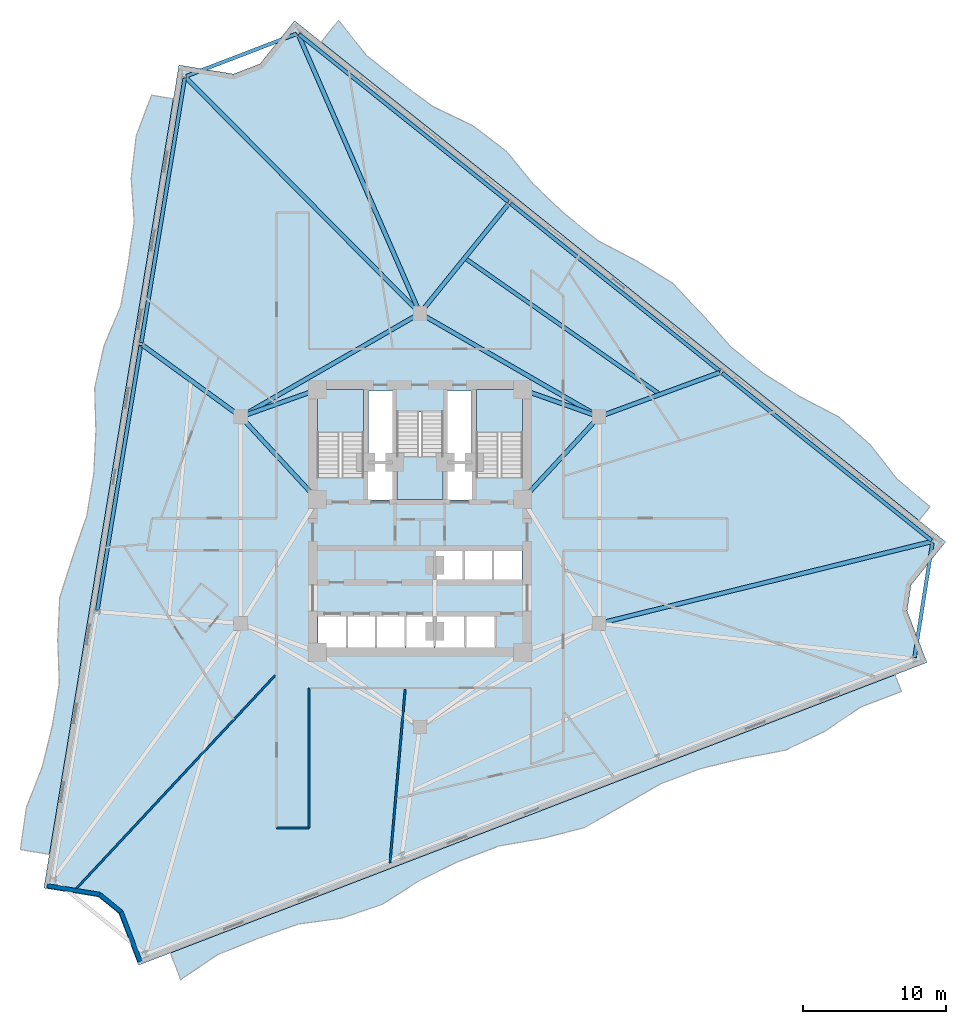
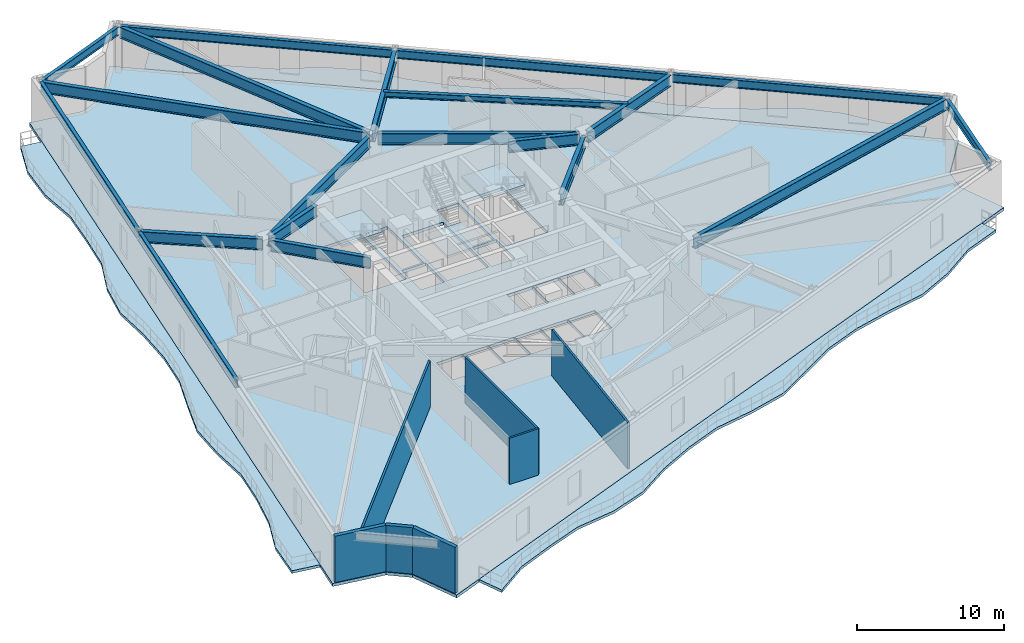
# One storey, part 3 of 11: 20 beams, 7 slabs, 7 walls, 3 elements without a shape of their own.
"""IFC4 building model written with IfcOpenShell, lengths in metres."""

import ifcopenshell
import ifcopenshell.guid

model = None  # the IFC model being written
_history = None  # IfcOwnerHistory: only IFC2X3 demands one
_inside = {}  # id of a spatial element -> (the spatial element, [elements in it])
_under = {}  # id of a project, library or spatial element -> (it, [spatial elements below it])
_declared = {}  # id of a project -> (the project, [libraries it declares])
_typed = {}  # id of a type object -> (the type object, [elements of that type])
_made_of = {}  # id of a material, layer set ... -> (it, [elements and type objects made of it])


def new_model(schema):
    """Start an empty IFC model of exactly this schema.

    Asked for "IFC4X3", IfcOpenShell would pick the latest addendum, in which some entities
    have other attributes; the version numbers below select the first issue.
    IFC2X3 requires an IfcOwnerHistory on every rooted entity: one is made here for all.
    """
    global model, _history
    if schema == "IFC4X3":
        model = ifcopenshell.file(schema_version=(4, 3, 0, 0))
    else:
        model = ifcopenshell.file(schema=schema)
    _inside.clear()
    _under.clear()
    _declared.clear()
    _typed.clear()
    _made_of.clear()
    _history = None
    if model.schema == "IFC2X3":
        org = make("IfcOrganization", Name="unknown")
        user = make(
            "IfcPersonAndOrganization",
            ThePerson=make("IfcPerson", FamilyName="unknown"),
            TheOrganization=org,
        )
        app = make(
            "IfcApplication",
            ApplicationDeveloper=org,
            Version="unknown",
            ApplicationFullName="unknown",
            ApplicationIdentifier="unknown",
        )
        _history = make(
            "IfcOwnerHistory",
            OwningUser=user,
            OwningApplication=app,
            ChangeAction="ADDED",
            CreationDate=0,
        )
    return model


def make(cls, **values):
    """One entity of the class cls with the attributes given. An attribute that is None is left unset."""
    return model.create_entity(
        cls, **{name: value for name, value in values.items() if value is not None}
    )


def rooted(cls, **values):
    """An entity with a GlobalId (a new one), such as an element, a storey or a relation."""
    return make(cls, GlobalId=ifcopenshell.guid.new(), OwnerHistory=_history, **values)


def si_unit(unit_type, name, prefix=None):
    """IfcSIUnit, for example si_unit("LENGTHUNIT", "METRE", prefix="MILLI")."""
    return make("IfcSIUnit", UnitType=unit_type, Prefix=prefix, Name=name)


def assignment(units):
    """IfcUnitAssignment: the units of a project."""
    return None if units is None else make("IfcUnitAssignment", Units=units)


def point(xyz):
    """IfcCartesianPoint."""
    return None if xyz is None else make("IfcCartesianPoint", Coordinates=xyz)


def direction(xyz):
    """IfcDirection."""
    return None if xyz is None else make("IfcDirection", DirectionRatios=xyz)


def frame(location, z_axis=None, x_axis=None):
    """IfcAxis2Placement3D, a coordinate frame: its origin and axes. An axis left out is left unset."""
    return make(
        "IfcAxis2Placement3D",
        Location=point(location),
        Axis=direction(z_axis),
        RefDirection=direction(x_axis),
    )


def frame_2d(location, x_axis=None):
    """IfcAxis2Placement2D, a coordinate frame in the plane: its origin and x axis."""
    return make(
        "IfcAxis2Placement2D", Location=point(location), RefDirection=direction(x_axis)
    )


def origin():
    """The frame at (0, 0, 0) with its axes left unset."""
    return frame((0.0, 0.0, 0.0))


def origin_2d():
    """The frame at (0, 0) in the plane with its x axis left unset."""
    return frame_2d((0.0, 0.0))


def place(relative_to, where):
    """IfcLocalPlacement: puts the frame where relative to a parent placement (None: the world)."""
    return make(
        "IfcLocalPlacement", PlacementRelTo=relative_to, RelativePlacement=where
    )


def context(
    kind, dimensions, precision=None, world=None, true_north=None, identifier=None
):
    """IfcGeometricRepresentationContext, for example the 3D "Model" context."""
    return make(
        "IfcGeometricRepresentationContext",
        ContextIdentifier=identifier,
        ContextType=kind,
        CoordinateSpaceDimension=dimensions,
        Precision=precision,
        WorldCoordinateSystem=world,
        TrueNorth=true_north,
    )


def subcontext(parent, identifier, kind, view, scale=None):
    """IfcGeometricRepresentationSubContext, for example "Body" below "Model"."""
    return make(
        "IfcGeometricRepresentationSubContext",
        ContextIdentifier=identifier,
        ContextType=kind,
        ParentContext=parent,
        TargetScale=scale,
        TargetView=view,
    )


def project(units=None, contexts=None):
    """IfcProject with its units and contexts."""
    return rooted(
        "IfcProject",
        Name="project",
        RepresentationContexts=contexts,
        UnitsInContext=assignment(units),
    )


def spatial(cls, under=None, at=None, **own):
    """A site, building, storey or space (cls), placed at a placement, below another one or the project."""
    s = rooted(cls, ObjectPlacement=at, **own)
    if under is not None:
        _under.setdefault(under.id(), (under, []))[1].append(s)
    return s


def polyline(points):
    """IfcPolyline through the points."""
    return make("IfcPolyline", Points=[point(p) for p in points])


def profile(cls, at=None, kind="AREA", **sizes):
    """A parametric profile (cls). Its sizes go by their IFC names, for example OverallWidth=200.0."""
    return make(cls, ProfileType=kind, Position=at, **sizes)


def rectangle(**sizes):
    """IfcRectangleProfileDef."""
    return profile("IfcRectangleProfileDef", **sizes)


def i_section(**sizes):
    """IfcIShapeProfileDef."""
    return profile("IfcIShapeProfileDef", **sizes)


def outline(outer, holes=None, kind="AREA"):
    """IfcArbitraryClosedProfileDef: a profile drawn as a closed curve; with holes, ...WithVoids."""
    if holes is None:
        return make("IfcArbitraryClosedProfileDef", ProfileType=kind, OuterCurve=outer)
    return make(
        "IfcArbitraryProfileDefWithVoids",
        ProfileType=kind,
        OuterCurve=outer,
        InnerCurves=holes,
    )


def extrude(swept, where, along, depth):
    """IfcExtrudedAreaSolid: the profile swept, set in the frame where, extruded along a direction by depth."""
    return make(
        "IfcExtrudedAreaSolid",
        SweptArea=swept,
        Position=where,
        ExtrudedDirection=direction(along),
        Depth=depth,
    )


def shape(context_of_items, identifier, shape_type, items):
    """IfcShapeRepresentation: the items that make up one representation, for example the "Body"."""
    return make(
        "IfcShapeRepresentation",
        ContextOfItems=context_of_items,
        RepresentationIdentifier=identifier,
        RepresentationType=shape_type,
        Items=items,
    )


def material(Name=None, Category=None):
    """IfcMaterial."""
    return make("IfcMaterial", Name=Name, Category=Category)


def layer(
    of_material, thickness, ventilated=None, Name=None, Category=None, Priority=None
):
    """IfcMaterialLayer: one layer of a wall or slab, of a material (None: an air gap)."""
    return make(
        "IfcMaterialLayer",
        Material=of_material,
        LayerThickness=thickness,
        IsVentilated=ventilated,
        Name=Name,
        Category=Category,
        Priority=Priority,
    )


def layer_set(layers, Name=None):
    """IfcMaterialLayerSet."""
    return make("IfcMaterialLayerSet", MaterialLayers=layers, LayerSetName=Name)


def material_profile(
    of_material, cross_section, Name=None, Category=None, Priority=None
):
    """IfcMaterialProfile: a cross section and its material."""
    return make(
        "IfcMaterialProfile",
        Name=Name,
        Material=of_material,
        Profile=cross_section,
        Priority=Priority,
        Category=Category,
    )


def profile_set(profiles, Name=None, composite=None):
    """IfcMaterialProfileSet."""
    return make(
        "IfcMaterialProfileSet",
        Name=Name,
        MaterialProfiles=profiles,
        CompositeProfile=composite,
    )


def made_of(thing, what):
    """Note that an element or type object is made of a material, layer set ...; save() writes the relation."""
    if what is not None:
        _made_of.setdefault(what.id(), (what, []))[1].append(thing)
    return thing


def type_object(cls, material=None, **own):
    """A type object (cls), such as IfcWallType, which elements share."""
    return made_of(rooted(cls, **own), material)


def element(
    cls,
    number,
    at=None,
    inside=None,
    cuts=None,
    type_object=None,
    material=None,
    context=None,
    identifier="Body",
    shape_type=None,
    held_by="IfcProductDefinitionShape",
    body=None,
    shapes=None,
    **own,
):
    """One element of the class cls, such as IfcWall. Its Tag is "e" and its number.

    at: its placement. inside: the storey or other place that contains it. cuts: it is an
    opening in that element (IfcRelVoidsElement). A single representation is given by context,
    identifier, shape_type and body (its items); several are given by shapes. held_by: the class
    of the entity that holds the representations. save() writes the other relations.
    """
    e = rooted(cls, Tag="e%d" % number, ObjectPlacement=at, **own)
    if body is not None:
        shapes = [shape(context, identifier, shape_type, body)]
    if shapes is not None:
        e.Representation = make(held_by, Representations=shapes)
    if inside is not None:
        _inside.setdefault(inside.id(), (inside, []))[1].append(e)
    if cuts is not None:
        rooted(
            "IfcRelVoidsElement", RelatingBuildingElement=cuts, RelatedOpeningElement=e
        )
    if type_object is not None:
        _typed.setdefault(type_object.id(), (type_object, []))[1].append(e)
    return made_of(e, material)


def aggregate(whole, parts):
    """IfcRelAggregates: a whole, such as a stair, and the parts it consists of."""
    return rooted("IfcRelAggregates", RelatingObject=whole, RelatedObjects=parts)


def save(model, path):
    """Write the relations noted so far, then the file.

    IfcRelAggregates (storeys below a building ...), IfcRelContainedInSpatialStructure (elements
    in a storey), IfcRelDefinesByType, IfcRelAssociatesMaterial and IfcRelDeclares: one each for
    every whole, place, type object, material and project.
    """
    for whole, parts in _under.values():
        aggregate(whole, parts)
    for where, things in _inside.values():
        rooted(
            "IfcRelContainedInSpatialStructure",
            RelatedElements=things,
            RelatingStructure=where,
        )
    for kind, things in _typed.values():
        rooted("IfcRelDefinesByType", RelatedObjects=things, RelatingType=kind)
    for what, things in _made_of.values():
        rooted("IfcRelAssociatesMaterial", RelatedObjects=things, RelatingMaterial=what)
    for by, libraries in _declared.values():
        rooted("IfcRelDeclares", RelatingContext=by, RelatedDefinitions=libraries)
    model.write(path)


model = new_model("IFC4")

# Units and contexts
model_context = context("Model", 3, precision=1e-05, world=origin(), true_north=direction((0.0, 1.0)))
body_context = subcontext(model_context, "Body", "Model", "MODEL_VIEW")
ifc_project = project(units=[si_unit("LENGTHUNIT", "METRE"), si_unit("AREAUNIT", "SQUARE_METRE"), si_unit("VOLUMEUNIT", "CUBIC_METRE"), si_unit("PLANEANGLEUNIT", "RADIAN"), si_unit("MASSUNIT", "GRAM", prefix="KILO")], contexts=[model_context])

# Site, building, storey
site_placement = place(None, origin())
site = spatial("IfcSite", under=ifc_project, at=site_placement, CompositionType="ELEMENT")
building_placement = place(site_placement, origin())
building = spatial("IfcBuilding", under=site, at=building_placement, Name="Apsidion Concourse Tower", CompositionType="ELEMENT")
storey_placement = place(building_placement, frame((0.0, 0.0, 140.39990234375)))
storey = spatial("IfcBuildingStorey", under=building, at=storey_placement, Name="L32", CompositionType="ELEMENT", Elevation=140.39990234375)

# Beams
ifc_material_1 = material(Name="Structural steel ASTM A992 Grade 50", Category="steel")
ifc_material_profile_1 = material_profile(ifc_material_1, i_section(OverallWidth=0.280029296875, OverallDepth=0.462890625, WebThickness=0.0107421875, FlangeThickness=0.017333984375, at=origin_2d()), Name="W18X76")
ifc_profile_set_1 = profile_set([ifc_material_profile_1], Name="Structural steel ASTM A992 Grade 50")
beam_type_1 = type_object("IfcBeamType", Name="BM-FL-W18M", PredefinedType="BEAM", material=ifc_profile_set_1)
beam_1_placement = place(storey_placement, frame((16.836181640625, 8.818359375, 3.61865234375), z_axis=(-0.819987071057, 0.572382043131, 0.0), x_axis=(-0.572382043131, -0.819987071057, 0.0)))
element("IfcBeam", 1, at=beam_1_placement, inside=storey, type_object=beam_type_1, Name="L32 Secondary Floor Beam SEC-F3", PredefinedType="BEAM", context=body_context, shape_type="SweptSolid", body=[
    extrude(i_section(OverallWidth=0.280029296875, OverallDepth=0.462890625, WebThickness=0.0107421875, FlangeThickness=0.017333984375, at=origin_2d()), origin(), (0.0, 0.0, 1.0), 16.70703125),
])
ifc_material_profile_2 = material_profile(ifc_material_1, i_section(OverallWidth=0.31005859375, OverallDepth=0.931884765625, WebThickness=0.02099609375, FlangeThickness=0.034423828125, at=origin_2d()), Name="W36X210")
ifc_profile_set_2 = profile_set([ifc_material_profile_2], Name="Structural steel ASTM A992 Grade 50")
beam_type_2 = type_object("IfcBeamType", Name="BM-G-W36", PredefinedType="USERDEFINED", material=ifc_profile_set_2)
beam_2_placement = place(storey_placement, frame((12.28857421875, 6.956298828125, 3.384033203125), z_axis=(-0.678712876106, -0.73440372535, 0.0), x_axis=(0.73440372535, -0.678712876106, 0.0)))
element("IfcBeam", 2, at=beam_2_placement, inside=storey, type_object=beam_type_2, Name="L32 Core Coupling Girder IC3-SC3", ObjectType="GIRDER", PredefinedType="USERDEFINED", context=body_context, shape_type="SweptSolid", body=[
    extrude(i_section(OverallWidth=0.31005859375, OverallDepth=0.931884765625, WebThickness=0.02099609375, FlangeThickness=0.034423828125, at=origin_2d()), origin(), (0.0, 0.0, 1.0), 7.097412109375),
])
beam_3_placement = place(storey_placement, frame((12.18310546875, 7.383544921875, 3.384033203125), z_axis=(-0.942533844539, 0.334110688094, 0.0), x_axis=(-0.334110688094, -0.942533844539, 0.0)))
element("IfcBeam", 3, at=beam_3_placement, inside=storey, type_object=beam_type_2, Name="L32 Core Coupling Girder IC3-SC4", ObjectType="GIRDER", PredefinedType="USERDEFINED", context=body_context, shape_type="SweptSolid", body=[
    extrude(i_section(OverallWidth=0.31005859375, OverallDepth=0.931884765625, WebThickness=0.02099609375, FlangeThickness=0.034423828125, at=origin_2d()), origin(), (0.0, 0.0, 1.0), 4.886962890625),
])
beam_4_placement = place(storey_placement, frame((-12.28857421875, 6.956298828125, 3.384033203125), z_axis=(0.678712876106, -0.73440372535, 0.0), x_axis=(0.73440372535, 0.678712876106, 0.0)))
element("IfcBeam", 4, at=beam_4_placement, inside=storey, type_object=beam_type_2, Name="L32 Core Coupling Girder IC5-SC6", ObjectType="GIRDER", PredefinedType="USERDEFINED", context=body_context, shape_type="SweptSolid", body=[
    extrude(i_section(OverallWidth=0.31005859375, OverallDepth=0.931884765625, WebThickness=0.02099609375, FlangeThickness=0.034423828125, at=origin_2d()), origin(), (0.0, 0.0, 1.0), 7.097412109375),
])
beam_5_placement = place(storey_placement, frame((-12.18310546875, 7.383544921875, 3.384033203125), z_axis=(0.942533844539, 0.334110688094, 0.0), x_axis=(-0.334110688094, 0.942533844539, 0.0)))
element("IfcBeam", 5, at=beam_5_placement, inside=storey, type_object=beam_type_2, Name="L32 Core Coupling Girder IC5-SC5", ObjectType="GIRDER", PredefinedType="USERDEFINED", context=body_context, shape_type="SweptSolid", body=[
    extrude(i_section(OverallWidth=0.31005859375, OverallDepth=0.931884765625, WebThickness=0.02099609375, FlangeThickness=0.034423828125, at=origin_2d()), origin(), (0.0, 0.0, 1.0), 4.886962890625),
])
for number, where, z_axis, x_axis, name in (
    (6, (-12.213623046875, 7.449951171875, 3.384033203125), (0.866070471464, 0.499921932364, 0.0), (-0.499921932364, 0.866070471464, 0.0), "L32 Core Coupling Girder IC5-IC4"),
    (7, (0.346435546875, 14.300048828125, 3.384033203125), (0.866070471464, -0.499921932364, 0.0), (0.499921932364, 0.866070471464, 0.0), "L32 Core Coupling Girder IC4-IC3"),
):
    element("IfcBeam", number, at=place(storey_placement, frame(where, z_axis=z_axis, x_axis=x_axis)), inside=storey, type_object=beam_type_2, Name=name, ObjectType="GIRDER", PredefinedType="USERDEFINED", context=body_context, shape_type="SweptSolid", body=[
        extrude(i_section(OverallWidth=0.31005859375, OverallDepth=0.931884765625, WebThickness=0.02099609375, FlangeThickness=0.034423828125, at=origin_2d()), origin(), (0.0, 0.0, 1.0), 13.702392578125),
    ])
beam_6_placement = place(storey_placement, frame((-0.155029296875, 14.656005859375, 3.384033203125), z_axis=(-0.704472079086, 0.709731702679, 0.0), x_axis=(-0.709731702679, -0.704472079086, 0.0)))
element("IfcBeam", 8, at=beam_6_placement, inside=storey, type_object=beam_type_2, Name="L32 Radial Floor Girder RAD-01", ObjectType="GIRDER", PredefinedType="USERDEFINED", context=body_context, shape_type="SweptSolid", body=[
    extrude(i_section(OverallWidth=0.31005859375, OverallDepth=0.931884765625, WebThickness=0.02099609375, FlangeThickness=0.034423828125, at=origin_2d()), origin(), (0.0, 0.0, 1.0), 23.069580078125),
])
beam_7_placement = place(storey_placement, frame((-12.73779296875, 7.37939453125, 3.384033203125), z_axis=(-0.80838519092, 0.588653873767, 0.0), x_axis=(-0.588653873767, -0.80838519092, 0.0)))
element("IfcBeam", 9, at=beam_7_placement, inside=storey, type_object=beam_type_2, Name="L32 Radial Floor Girder RAD-02", ObjectType="GIRDER", PredefinedType="USERDEFINED", context=body_context, shape_type="SweptSolid", body=[
    extrude(i_section(OverallWidth=0.31005859375, OverallDepth=0.931884765625, WebThickness=0.02099609375, FlangeThickness=0.034423828125, at=origin_2d()), origin(), (0.0, 0.0, 1.0), 8.337646484375),
])
beam_8_placement = place(storey_placement, frame((12.773681640625, -7.197509765625, 3.384033203125), z_axis=(0.970978267366, 0.239167732569, 0.0), x_axis=(-0.239167732569, 0.970978267366, 0.0)))
element("IfcBeam", 10, at=beam_8_placement, inside=storey, type_object=beam_type_2, Name="L32 Radial Floor Girder RAD-09", ObjectType="GIRDER", PredefinedType="USERDEFINED", context=body_context, shape_type="SweptSolid", body=[
    extrude(i_section(OverallWidth=0.31005859375, OverallDepth=0.931884765625, WebThickness=0.02099609375, FlangeThickness=0.034423828125, at=origin_2d()), origin(), (0.0, 0.0, 1.0), 23.770263671875),
])
beam_9_placement = place(storey_placement, frame((12.7666015625, 7.32568359375, 3.384033203125), z_axis=(0.938840099728, 0.34435340443, 0.0), x_axis=(-0.34435340443, 0.938840099728, 0.0)))
element("IfcBeam", 11, at=beam_9_placement, inside=storey, type_object=beam_type_2, Name="L32 Radial Floor Girder RAD-10", ObjectType="GIRDER", PredefinedType="USERDEFINED", context=body_context, shape_type="SweptSolid", body=[
    extrude(i_section(OverallWidth=0.31005859375, OverallDepth=0.931884765625, WebThickness=0.02099609375, FlangeThickness=0.034423828125, at=origin_2d()), origin(), (0.0, 0.0, 1.0), 8.789306640625),
])
beam_10_placement = place(storey_placement, frame((0.13818359375, 14.671142578125, 3.384033203125), z_axis=(0.628598256624, 0.777730179284, 0.0), x_axis=(-0.777730179284, 0.628598256624, 0.0)))
element("IfcBeam", 12, at=beam_10_placement, inside=storey, type_object=beam_type_2, Name="L32 Radial Floor Girder RAD-11", ObjectType="GIRDER", PredefinedType="USERDEFINED", context=body_context, shape_type="SweptSolid", body=[
    extrude(i_section(OverallWidth=0.31005859375, OverallDepth=0.931884765625, WebThickness=0.02099609375, FlangeThickness=0.034423828125, at=origin_2d()), origin(), (0.0, 0.0, 1.0), 9.660400390625),
])
beam_11_placement = place(storey_placement, frame((-0.087890625, 14.70166015625, 3.384033203125), z_axis=(-0.39980027304, 0.916602281078, 0.0), x_axis=(-0.916602281078, -0.39980027304, 0.0)))
element("IfcBeam", 13, at=beam_11_placement, inside=storey, type_object=beam_type_2, Name="L32 Radial Floor Girder RAD-12", ObjectType="GIRDER", PredefinedType="USERDEFINED", context=body_context, shape_type="SweptSolid", body=[
    extrude(i_section(OverallWidth=0.31005859375, OverallDepth=0.931884765625, WebThickness=0.02099609375, FlangeThickness=0.034423828125, at=origin_2d()), origin(), (0.0, 0.0, 1.0), 21.104248046875),
])
ifc_material_profile_3 = material_profile(ifc_material_1, i_section(OverallWidth=0.256103515625, OverallDepth=0.693115234375, WebThickness=0.014404296875, FlangeThickness=0.023681640625, at=origin_2d()), Name="W27X114")
ifc_profile_set_3 = profile_set([ifc_material_profile_3], Name="Structural steel ASTM A992 Grade 50")
beam_type_3 = type_object("IfcBeamType", Name="BM-SP-W27", PredefinedType="SPANDREL", material=ifc_profile_set_3)
for number, where, z_axis, x_axis, name in (
    (14, (-16.493408203125, 31.001708984375, 3.503662109375), (-0.162122790078, -0.986770591849, 0.0), (0.986770591849, -0.162122790078, 0.0), "L32 Perimeter Spandrel Girder SP-01"),
    (15, (-19.57470703125, 12.24755859375, 3.503662109375), (-0.162110148975, -0.986772668652, 0.0), (0.986772668652, -0.162110148975, 0.0), "L32 Perimeter Spandrel Girder SP-02"),
):
    element("IfcBeam", number, at=place(storey_placement, frame(where, z_axis=z_axis, x_axis=x_axis)), inside=storey, type_object=beam_type_3, Name=name, PredefinedType="SPANDREL", context=body_context, shape_type="SweptSolid", body=[
        extrude(i_section(OverallWidth=0.256103515625, OverallDepth=0.693115234375, WebThickness=0.014404296875, FlangeThickness=0.023681640625, at=origin_2d()), origin(), (0.0, 0.0, 1.0), 18.8056640625),
    ])
beam_12_placement = place(storey_placement, frame((34.68408203125, -9.64013671875, 3.503662109375), z_axis=(0.153594554534, 0.988133954896, 0.0), x_axis=(-0.988133954896, 0.153594554534, 0.0)))
element("IfcBeam", 16, at=beam_12_placement, inside=storey, type_object=beam_type_3, Name="L32 Perimeter Spandrel Girder SP-08", PredefinedType="SPANDREL", context=body_context, shape_type="SweptSolid", body=[
    extrude(i_section(OverallWidth=0.256103515625, OverallDepth=0.693115234375, WebThickness=0.014404296875, FlangeThickness=0.023681640625, at=origin_2d()), origin(), (0.0, 0.0, 1.0), 8.1494140625),
])
beam_13_placement = place(storey_placement, frame((35.873046875, -1.426025390625, 3.503662109375), z_axis=(-0.780761138975, 0.624829611868, 0.0), x_axis=(-0.624829611868, -0.780761138975, 0.0)))
element("IfcBeam", 17, at=beam_13_placement, inside=storey, type_object=beam_type_3, Name="L32 Perimeter Spandrel Girder SP-09", PredefinedType="SPANDREL", context=body_context, shape_type="SweptSolid", body=[
    extrude(i_section(OverallWidth=0.256103515625, OverallDepth=0.693115234375, WebThickness=0.014404296875, FlangeThickness=0.023681640625, at=origin_2d()), origin(), (0.0, 0.0, 1.0), 18.805419921875),
])
for number, where, z_axis, x_axis, name in (
    (18, (21.0341796875, 10.44921875, 3.503662109375), (-0.780754805621, 0.624837525682, 0.0), (-0.624837525682, -0.780754805621, 0.0), "L32 Perimeter Spandrel Girder SP-10"),
    (19, (6.1953125, 22.32470703125, 3.503662109375), (-0.780754805621, 0.624837525682, 0.0), (-0.624837525682, -0.780754805621, 0.0), "L32 Perimeter Spandrel Girder SP-11"),
):
    element("IfcBeam", number, at=place(storey_placement, frame(where, z_axis=z_axis, x_axis=x_axis)), inside=storey, type_object=beam_type_3, Name=name, PredefinedType="SPANDREL", context=body_context, shape_type="SweptSolid", body=[
        extrude(i_section(OverallWidth=0.256103515625, OverallDepth=0.693115234375, WebThickness=0.014404296875, FlangeThickness=0.023681640625, at=origin_2d()), origin(), (0.0, 0.0, 1.0), 18.8056640625),
    ])
beam_14_placement = place(storey_placement, frame((-8.65869140625, 34.101806640625, 3.503662109375), z_axis=(-0.933572784053, -0.35838785816, 0.0), x_axis=(0.35838785816, -0.933572784053, 0.0)))
element("IfcBeam", 20, at=beam_14_placement, inside=storey, type_object=beam_type_3, Name="L32 Perimeter Spandrel Girder SP-12", PredefinedType="SPANDREL", context=body_context, shape_type="SweptSolid", body=[
    extrude(i_section(OverallWidth=0.256103515625, OverallDepth=0.693115234375, WebThickness=0.014404296875, FlangeThickness=0.023681640625, at=origin_2d()), origin(), (0.0, 0.0, 1.0), 8.274658203125),
])

# Slabs
ifc_material_2 = material(Name="Concrete C50/60", Category="concrete")
ifc_layer_1 = layer(ifc_material_2, 0.219970703125)
ifc_layer_set_1 = layer_set([ifc_layer_1], Name="Concrete C50/60")
slab_type_1 = type_object("IfcSlabType", Name="SL-BAL-220", PredefinedType="FLOOR", material=ifc_layer_set_1)
slab_1_placement = place(storey_placement, frame((0.0, 0.0, -0.219970703125)))
element("IfcSlab", 21, at=slab_1_placement, inside=storey, type_object=slab_type_1, Name="L32 Face 1 Rippling Balcony Slab", PredefinedType="FLOOR", context=body_context, shape_type="SweptSolid", body=[
    extrude(outline(polyline([(-17.293701171875, 29.547119140625), (-17.77685546875, 26.603515625), (-18.260009765625, 23.66015625), (-18.7431640625, 20.716552734375), (-19.226318359375, 17.77294921875), (-19.709716796875, 14.829345703125), (-20.192626953125, 11.8857421875), (-20.67578125, 8.9423828125), (-21.1591796875, 5.998779296875), (-21.642333984375, 3.05517578125), (-22.12548828125, 0.111572265625), (-22.608642578125, -2.83203125), (-23.091796875, -5.775390625), (-23.574951171875, -8.718994140625), (-24.05810546875, -11.66259765625), (-24.541259765625, -14.606201171875), (-25.0244140625, -17.5498046875), (-25.507568359375, -20.493408203125), (-25.99072265625, -23.43701171875), (-28.025146484375, -23.10302734375), (-27.597900390625, -20.150146484375), (-26.4853515625, -17.31005859375), (-25.774658203125, -14.40380859375), (-25.29150390625, -11.460205078125), (-25.400390625, -8.41943359375), (-25.260498046875, -5.41943359375), (-24.33935546875, -2.5478515625), (-23.35888671875, 0.314208984375), (-22.875732421875, 3.257568359375), (-22.722900390625, 6.25537109375), (-22.808837890625, 9.29248046875), (-22.1572265625, 12.208251953125), (-20.97412109375, 15.036865234375), (-20.4599609375, 17.975341796875), (-20.039306640625, 20.92919921875), (-20.249267578125, 23.986572265625), (-19.8974609375, 26.95166015625), (-18.8232421875, 29.79833984375), (-17.293701171875, 29.547119140625)])), origin(), (0.0, 0.0, 1.0), 0.219970703125),
])
slab_2_placement = place(storey_placement, frame((0.0, 0.0, -0.219970703125)))
element("IfcSlab", 22, at=slab_2_placement, inside=storey, type_object=slab_type_1, Name="L32 Face 2 Rippling Balcony Slab", PredefinedType="FLOOR", context=body_context, shape_type="SweptSolid", body=[
    extrude(outline(polyline([(-17.49853515625, -30.353271484375), (-14.67578125, -29.26953125), (-11.852783203125, -28.18603515625), (-9.02978515625, -27.102294921875), (-6.206787109375, -26.018798828125), (-3.3837890625, -24.93505859375), (-0.56103515625, -23.8515625), (2.261962890625, -22.767822265625), (5.0849609375, -21.68408203125), (7.90771484375, -20.6005859375), (10.730712890625, -19.51708984375), (13.5537109375, -18.433349609375), (16.376708984375, -17.349609375), (19.19970703125, -16.26611328125), (22.0224609375, -15.1826171875), (24.845458984375, -14.098876953125), (27.66845703125, -13.01513671875), (30.491455078125, -11.931640625), (33.314208984375, -10.847900390625), (33.76220703125, -12.014892578125), (30.939208984375, -13.0986328125), (28.3623046875, -14.82275390625), (25.62646484375, -16.133544921875), (22.6083984375, -16.70849609375), (19.647705078125, -17.43310546875), (16.82470703125, -18.5166015625), (14.17578125, -20.053955078125), (11.518310546875, -21.568115234375), (8.5703125, -22.326171875), (5.532958984375, -22.851318359375), (2.7099609375, -23.934814453125), (-0.0185546875, -25.264404296875), (-2.61767578125, -26.931396484375), (-5.480712890625, -27.91064453125), (-8.557373046875, -28.3330078125), (-11.40478515625, -29.352783203125), (-14.211181640625, -30.479248046875), (-16.7783203125, -32.2294921875), (-17.49853515625, -30.353271484375)])), origin(), (0.0, 0.0, 1.0), 0.219970703125),
])
slab_3_placement = place(storey_placement, frame((0.0, 0.0, -0.219970703125)))
element("IfcSlab", 23, at=slab_3_placement, inside=storey, type_object=slab_type_1, Name="L32 Face 3 Rippling Balcony Slab", PredefinedType="FLOOR", context=body_context, shape_type="SweptSolid", body=[
    extrude(outline(polyline([(34.997314453125, -0.025634765625), (32.668701171875, 1.83837890625), (30.33984375, 3.70263671875), (28.01123046875, 5.56689453125), (25.6826171875, 7.430908203125), (23.353759765625, 9.295166015625), (21.025146484375, 11.159423828125), (18.6962890625, 13.023681640625), (16.36767578125, 14.8876953125), (14.0390625, 16.751953125), (11.71044921875, 18.6162109375), (9.381591796875, 20.480224609375), (7.052978515625, 22.344482421875), (4.724365234375, 24.208740234375), (2.3955078125, 26.072998046875), (0.06689453125, 27.93701171875), (-2.26171875, 29.80126953125), (-4.590576171875, 31.665283203125), (-6.919189453125, 33.529541015625), (-5.699951171875, 35.052734375), (-3.809326171875, 32.641357421875), (-1.480712890625, 30.777099609375), (0.91845703125, 29.0009765625), (3.677001953125, 27.673583984375), (6.05322265625, 25.868896484375), (7.989013671875, 23.513916015625), (10.162841796875, 21.456298828125), (12.491455078125, 19.592041015625), (15.185546875, 18.18408203125), (17.741943359375, 16.6044921875), (19.802734375, 14.405517578125), (21.806396484375, 12.13525390625), (24.135009765625, 10.27099609375), (26.662109375, 8.654541015625), (29.358154296875, 7.24951171875), (31.591796875, 5.2666015625), (33.479248046875, 2.851318359375), (35.778564453125, 0.9501953125), (34.997314453125, -0.025634765625)])), origin(), (0.0, 0.0, 1.0), 0.219970703125),
])
ifc_layer_2 = layer(ifc_material_2, 0.25)
ifc_layer_set_2 = layer_set([ifc_layer_2], Name="Concrete C50/60")
slab_type_2 = type_object("IfcSlabType", Name="SL-FLR-250", PredefinedType="FLOOR", material=ifc_layer_set_2)
slab_4_placement = place(storey_placement, frame((0.0, 0.0, -0.25)))
element("IfcSlab", 24, at=slab_4_placement, inside=storey, type_object=slab_type_2, Name="L32 Structural Floor Slab", PredefinedType="FLOOR", context=body_context, shape_type="SweptSolid", body=[
    extrude(outline(polyline([(-8.792724609375, 35.029541015625), (-11.219970703125, 31.997802734375), (-13.072509765625, 31.286376953125), (-16.905029296875, 31.91552734375), (-26.37939453125, -25.80517578125), (-22.547119140625, -26.434326171875), (-21.131103515625, -27.587646484375), (-19.7392578125, -31.21337890625), (35.554931640625, -9.98779296875), (34.1630859375, -6.3623046875), (34.44384765625, -4.5576171875), (36.870849609375, -1.525634765625), (-8.792724609375, 35.029541015625)]), holes=[polyline([(-3.949951171875, 3.0), (-3.949951171875, 9.14990234375), (-7.199951171875, 9.14990234375), (-7.199951171875, 3.0), (-3.949951171875, 3.0)]), polyline([(7.199951171875, 3.0), (7.199951171875, 9.14990234375), (3.949951171875, 9.14990234375), (3.949951171875, 3.0), (7.199951171875, 3.0)]), polyline([(-1.625, 7.60009765625), (-1.625, 1.449951171875), (1.625, 1.449951171875), (1.625, 7.60009765625), (-1.625, 7.60009765625)]), polyline([(1.054931640625, -4.300048828125), (3.044921875, -4.300048828125), (3.044921875, -2.050048828125), (1.054931640625, -2.050048828125), (1.054931640625, -4.300048828125)]), polyline([(3.10498046875, -4.300048828125), (5.094970703125, -4.300048828125), (5.094970703125, -2.050048828125), (3.10498046875, -2.050048828125), (3.10498046875, -4.300048828125)]), polyline([(5.155029296875, -4.300048828125), (7.14501953125, -4.300048828125), (7.14501953125, -2.050048828125), (5.155029296875, -2.050048828125), (5.155029296875, -4.300048828125)]), polyline([(-7.14501953125, -8.949951171875), (-5.155029296875, -8.949951171875), (-5.155029296875, -6.64990234375), (-7.14501953125, -6.64990234375), (-7.14501953125, -8.949951171875)]), polyline([(-5.094970703125, -8.949951171875), (-3.10498046875, -8.949951171875), (-3.10498046875, -6.64990234375), (-5.094970703125, -6.64990234375), (-5.094970703125, -8.949951171875)]), polyline([(-3.044921875, -8.949951171875), (-1.054931640625, -8.949951171875), (-1.054931640625, -6.64990234375), (-3.044921875, -6.64990234375), (-3.044921875, -8.949951171875)]), polyline([(-0.9951171875, -8.949951171875), (0.9951171875, -8.949951171875), (0.9951171875, -6.64990234375), (-0.9951171875, -6.64990234375), (-0.9951171875, -8.949951171875)]), polyline([(1.044921875, -9.0), (3.155029296875, -9.0), (3.155029296875, -6.64990234375), (1.044921875, -6.64990234375), (1.044921875, -9.0)]), polyline([(3.195068359375, -9.0), (5.304931640625, -9.0), (5.304931640625, -6.64990234375), (3.195068359375, -6.64990234375), (3.195068359375, -9.0)]), polyline([(-3.7099609375, 1.39990234375), (-1.85009765625, 1.39990234375), (-1.85009765625, 4.0), (-3.7099609375, 4.0), (-3.7099609375, 1.39990234375)]), polyline([(1.85009765625, 1.39990234375), (3.7099609375, 1.39990234375), (3.7099609375, 4.0), (1.85009765625, 4.0), (1.85009765625, 1.39990234375)]), polyline([(-3.6201171875, 4.14990234375), (-1.93994140625, 4.14990234375), (-1.93994140625, 9.050048828125), (-3.6201171875, 9.050048828125), (-3.6201171875, 4.14990234375)]), polyline([(1.93994140625, 4.14990234375), (3.6201171875, 4.14990234375), (3.6201171875, 9.050048828125), (1.93994140625, 9.050048828125), (1.93994140625, 4.14990234375)])]), origin(), (0.0, 0.0, 1.0), 0.25),
])

# Stair, slab
ifc_material_3 = material(Name="Precast concrete C40/50", Category="concrete")
stair_type = type_object("IfcStairType", Name="ST-DL-1550", PredefinedType="HALF_TURN_STAIR", material=ifc_material_3)
stair_1_placement = place(storey_placement, origin())
stair_1 = element("IfcStair", 25, at=stair_1_placement, inside=storey, type_object=stair_type, Name="L32 Protected Core Exit Stair ST1", PredefinedType="HALF_TURN_STAIR")
ifc_layer_3 = layer(ifc_material_2, 0.199951171875)
ifc_layer_set_3 = layer_set([ifc_layer_3], Name="Concrete C50/60")
slab_type_3 = type_object("IfcSlabType", Name="SL-ST-LAND-200", PredefinedType="LANDING", material=ifc_layer_set_3)
slab_5_placement = place(storey_placement, frame((0.0, 0.0, 1.85009765625)))
slab_5 = element("IfcSlab", 26, at=slab_5_placement, type_object=slab_type_3, Name="ST1 landing 1", PredefinedType="LANDING", context=body_context, shape_type="SweptSolid", body=[
    extrude(outline(polyline([(-3.949951171875, 6.135009765625), (-3.949951171875, 9.14990234375), (-7.199951171875, 9.14990234375), (-7.199951171875, 6.135009765625), (-3.949951171875, 6.135009765625)])), origin(), (0.0, 0.0, 1.0), 0.199951171875),
])
aggregate(stair_1, [slab_5])

stair_2_placement = place(storey_placement, origin())
stair_2 = element("IfcStair", 27, at=stair_2_placement, inside=storey, type_object=stair_type, Name="L32 Protected Core Exit Stair ST2", PredefinedType="HALF_TURN_STAIR")
slab_6_placement = place(storey_placement, frame((0.0, 0.0, 1.85009765625)))
slab_6 = element("IfcSlab", 28, at=slab_6_placement, type_object=slab_type_3, Name="ST2 landing 1", PredefinedType="LANDING", context=body_context, shape_type="SweptSolid", body=[
    extrude(outline(polyline([(7.199951171875, 6.135009765625), (7.199951171875, 9.14990234375), (3.949951171875, 9.14990234375), (3.949951171875, 6.135009765625), (7.199951171875, 6.135009765625)])), origin(), (0.0, 0.0, 1.0), 0.199951171875),
])
aggregate(stair_2, [slab_6])

stair_3_placement = place(storey_placement, origin())
stair_3 = element("IfcStair", 29, at=stair_3_placement, inside=storey, type_object=stair_type, Name="L32 Protected Core Exit Stair ST3", PredefinedType="HALF_TURN_STAIR")
slab_7_placement = place(storey_placement, frame((0.0, 0.0, 1.85009765625)))
slab_7 = element("IfcSlab", 30, at=slab_7_placement, type_object=slab_type_3, Name="ST3 landing 1", PredefinedType="LANDING", context=body_context, shape_type="SweptSolid", body=[
    extrude(outline(polyline([(-1.625, 4.465087890625), (-1.625, 1.449951171875), (1.625, 1.449951171875), (1.625, 4.465087890625), (-1.625, 4.465087890625)])), origin(), (0.0, 0.0, 1.0), 0.199951171875),
])
aggregate(stair_3, [slab_7])

# Walls
ifc_layer_4 = layer(ifc_material_3, 0.300048828125)
ifc_layer_set_4 = layer_set([ifc_layer_4], Name="Precast concrete C40/50")
wall_type_1 = type_object("IfcWallType", Name="WL-EXT-300", PredefinedType="STANDARD", material=ifc_layer_set_4)
wall_1_placement = place(storey_placement, frame((-19.624267578125, -30.954833984375, 0.0), z_axis=(0.0, 0.0, 1.0), x_axis=(-0.358366059171, 0.933581152142, 0.0)))
element("IfcWall", 31, at=wall_1_placement, inside=storey, type_object=wall_type_1, Name="L32 Precast Stone Facade Wall 06", PredefinedType="STANDARD", context=body_context, shape_type="SweptSolid", body=[
    extrude(rectangle(XDim=3.73681640625, YDim=0.300048828125, at=frame_2d((1.868408203125, 0.0))), origin(), (0.0, 0.0, 1.0), 3.85009765625),
])
wall_2_placement = place(storey_placement, frame((-20.96337890625, -27.46630859375, 0.0), z_axis=(0.0, 0.0, 1.0), x_axis=(-0.775367830134, 0.631509879569, 0.0)))
element("IfcWall", 32, at=wall_2_placement, inside=storey, type_object=wall_type_1, Name="L32 Precast Stone Facade Wall 07", PredefinedType="STANDARD", context=body_context, shape_type="SweptSolid", body=[
    extrude(rectangle(XDim=1.93310546875, YDim=0.300048828125, at=frame_2d((0.966552734375, 0.0))), origin(), (0.0, 0.0, 1.0), 3.85009765625),
])
wall_3_placement = place(storey_placement, frame((-22.462158203125, -26.24560546875, 0.0), z_axis=(0.0, 0.0, 1.0), x_axis=(-0.986786597315, 0.16202534172, 0.0)))
element("IfcWall", 33, at=wall_3_placement, inside=storey, type_object=wall_type_1, Name="L32 Precast Stone Facade Wall 08", PredefinedType="STANDARD", context=body_context, shape_type="SweptSolid", body=[
    extrude(rectangle(XDim=3.73681640625, YDim=0.300048828125, at=frame_2d((1.868408203125, 0.0))), origin(), (0.0, 0.0, 1.0), 3.85009765625),
])
ifc_material_4 = material(Name="Gypsum plasterboard partition")
ifc_layer_5 = layer(ifc_material_4, 0.14990234375)
ifc_layer_set_5 = layer_set([ifc_layer_5], Name="Gypsum plasterboard partition")
wall_type_2 = type_object("IfcWallType", Name="WL-INT-PAR-150", PredefinedType="PARTITIONING", material=ifc_layer_set_5)
wall_4_placement = place(storey_placement, frame((-7.7900390625, -11.77490234375, 0.0), z_axis=(0.0, 0.0, 1.0), x_axis=(0.0, -1.0, 0.0)))
element("IfcWall", 34, at=wall_4_placement, inside=storey, type_object=wall_type_2, Name="L32 Interior Partition WL-L32-CORR-04", PredefinedType="PARTITIONING", context=body_context, shape_type="SweptSolid", body=[
    extrude(rectangle(XDim=9.80517578125, YDim=0.14990234375, at=frame_2d((4.902587890625, 0.0))), origin(), (0.0, 0.0, 1.0), 3.85009765625),
])
wall_5_placement = place(storey_placement, frame((-7.7900390625, -21.580078125, 0.0), z_axis=(0.0, 0.0, 1.0), x_axis=(-1.0, 0.0, 0.0)))
element("IfcWall", 35, at=wall_5_placement, inside=storey, type_object=wall_type_2, Name="L32 Interior Partition WL-L32-CORR-05", PredefinedType="PARTITIONING", context=body_context, shape_type="SweptSolid", body=[
    extrude(rectangle(XDim=2.260009765625, YDim=0.14990234375, at=frame_2d((1.1298828125, 0.0))), origin(), (0.0, 0.0, 1.0), 3.85009765625),
])
wall_6_placement = place(storey_placement, frame((-10.155029296875, -10.889892578125, 0.0), z_axis=(0.0, 0.0, 1.0), x_axis=(-0.681994218346, -0.731357563811, 0.0)))
element("IfcWall", 36, at=wall_6_placement, inside=storey, type_object=wall_type_2, Name="L32 Interior Partition WL-L32-RAD-06-1", PredefinedType="PARTITIONING", context=body_context, shape_type="SweptSolid", body=[
    extrude(rectangle(XDim=20.40625, YDim=0.14990234375, at=frame_2d((10.203125, 0.0))), origin(), (0.0, 0.0, 1.0), 3.85009765625),
])
wall_7_placement = place(storey_placement, frame((-1.039306640625, -11.8798828125, 0.0), z_axis=(0.0, 0.0, 1.0), x_axis=(-0.087170172266, -0.996193435567, 0.0)))
element("IfcWall", 37, at=wall_7_placement, inside=storey, type_object=wall_type_2, Name="L32 Interior Partition WL-L32-RAD-07-1", PredefinedType="PARTITIONING", context=body_context, shape_type="SweptSolid", body=[
    extrude(rectangle(XDim=12.2197265625, YDim=0.14990234375, at=frame_2d((6.10986328125, 0.0))), origin(), (0.0, 0.0, 1.0), 3.85009765625),
])

save(model, "model.ifc")
